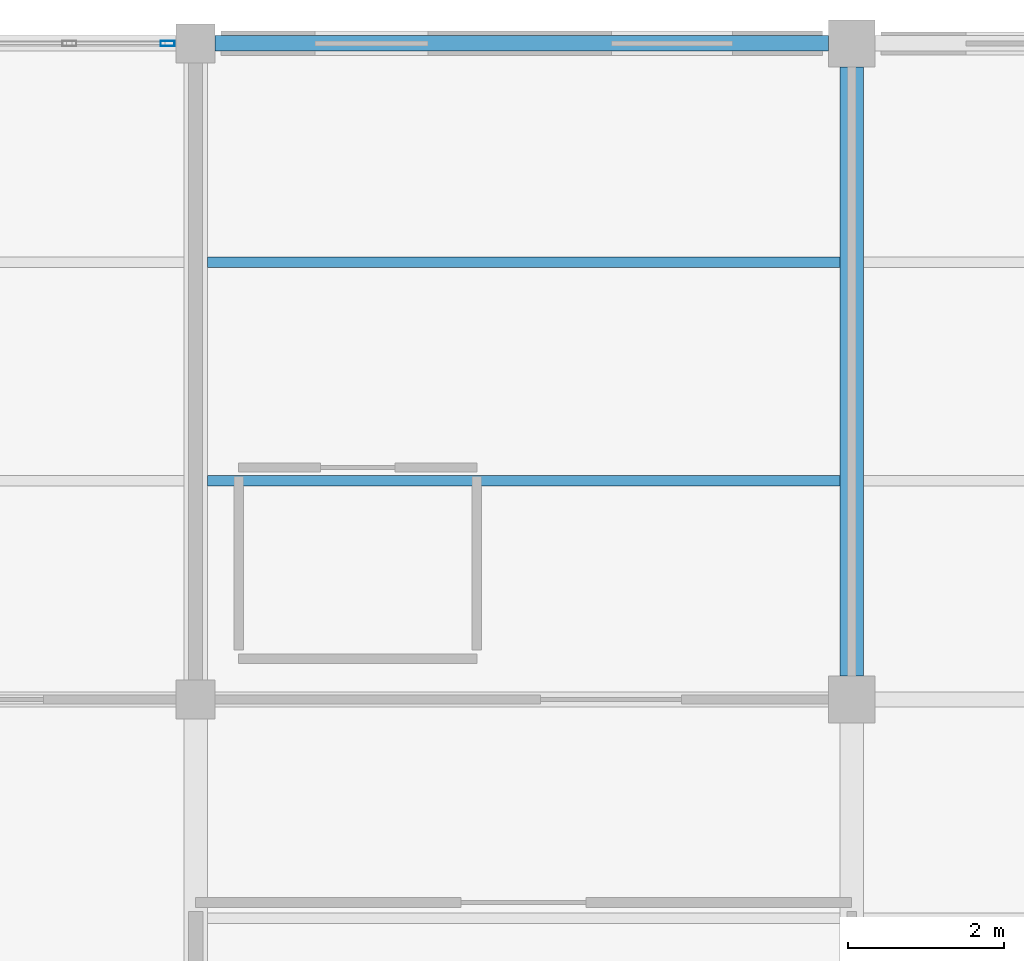
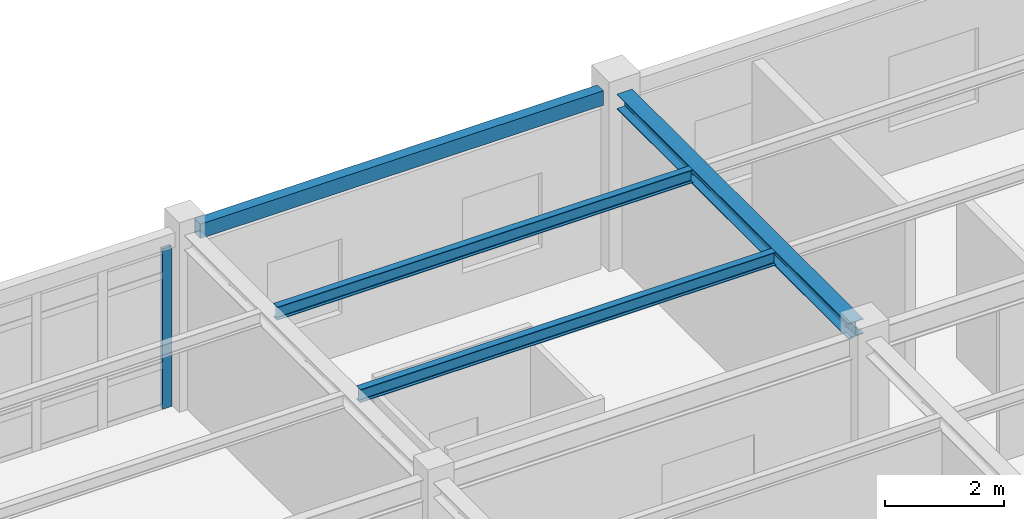
# One storey, part 24 of 70: 4 beams, 1 member, 1 element without a shape of its own.
"""IFC4 building model written with IfcOpenShell, lengths in metres."""

import ifcopenshell
import ifcopenshell.guid

model = None  # the IFC model being written
_history = None  # IfcOwnerHistory: only IFC2X3 demands one
_inside = {}  # id of a spatial element -> (the spatial element, [elements in it])
_under = {}  # id of a project, library or spatial element -> (it, [spatial elements below it])
_declared = {}  # id of a project -> (the project, [libraries it declares])
_typed = {}  # id of a type object -> (the type object, [elements of that type])
_made_of = {}  # id of a material, layer set ... -> (it, [elements and type objects made of it])


def new_model(schema):
    """Start an empty IFC model of exactly this schema.

    Asked for "IFC4X3", IfcOpenShell would pick the latest addendum, in which some entities
    have other attributes; the version numbers below select the first issue.
    IFC2X3 requires an IfcOwnerHistory on every rooted entity: one is made here for all.
    """
    global model, _history
    if schema == "IFC4X3":
        model = ifcopenshell.file(schema_version=(4, 3, 0, 0))
    else:
        model = ifcopenshell.file(schema=schema)
    _inside.clear()
    _under.clear()
    _declared.clear()
    _typed.clear()
    _made_of.clear()
    _history = None
    if model.schema == "IFC2X3":
        org = make("IfcOrganization", Name="unknown")
        user = make(
            "IfcPersonAndOrganization",
            ThePerson=make("IfcPerson", FamilyName="unknown"),
            TheOrganization=org,
        )
        app = make(
            "IfcApplication",
            ApplicationDeveloper=org,
            Version="unknown",
            ApplicationFullName="unknown",
            ApplicationIdentifier="unknown",
        )
        _history = make(
            "IfcOwnerHistory",
            OwningUser=user,
            OwningApplication=app,
            ChangeAction="ADDED",
            CreationDate=0,
        )
    return model


def make(cls, **values):
    """One entity of the class cls with the attributes given. An attribute that is None is left unset."""
    return model.create_entity(
        cls, **{name: value for name, value in values.items() if value is not None}
    )


def rooted(cls, **values):
    """An entity with a GlobalId (a new one), such as an element, a storey or a relation."""
    return make(cls, GlobalId=ifcopenshell.guid.new(), OwnerHistory=_history, **values)


def si_unit(unit_type, name, prefix=None):
    """IfcSIUnit, for example si_unit("LENGTHUNIT", "METRE", prefix="MILLI")."""
    return make("IfcSIUnit", UnitType=unit_type, Prefix=prefix, Name=name)


def assignment(units):
    """IfcUnitAssignment: the units of a project."""
    return None if units is None else make("IfcUnitAssignment", Units=units)


def point(xyz):
    """IfcCartesianPoint."""
    return None if xyz is None else make("IfcCartesianPoint", Coordinates=xyz)


def direction(xyz):
    """IfcDirection."""
    return None if xyz is None else make("IfcDirection", DirectionRatios=xyz)


def frame(location, z_axis=None, x_axis=None):
    """IfcAxis2Placement3D, a coordinate frame: its origin and axes. An axis left out is left unset."""
    return make(
        "IfcAxis2Placement3D",
        Location=point(location),
        Axis=direction(z_axis),
        RefDirection=direction(x_axis),
    )


def frame_2d(location, x_axis=None):
    """IfcAxis2Placement2D, a coordinate frame in the plane: its origin and x axis."""
    return make(
        "IfcAxis2Placement2D", Location=point(location), RefDirection=direction(x_axis)
    )


def origin():
    """The frame at (0, 0, 0) with its axes left unset."""
    return frame((0.0, 0.0, 0.0))


def origin_2d():
    """The frame at (0, 0) in the plane with its x axis left unset."""
    return frame_2d((0.0, 0.0))


def place(relative_to, where):
    """IfcLocalPlacement: puts the frame where relative to a parent placement (None: the world)."""
    return make(
        "IfcLocalPlacement", PlacementRelTo=relative_to, RelativePlacement=where
    )


def context(
    kind, dimensions, precision=None, world=None, true_north=None, identifier=None
):
    """IfcGeometricRepresentationContext, for example the 3D "Model" context."""
    return make(
        "IfcGeometricRepresentationContext",
        ContextIdentifier=identifier,
        ContextType=kind,
        CoordinateSpaceDimension=dimensions,
        Precision=precision,
        WorldCoordinateSystem=world,
        TrueNorth=true_north,
    )


def subcontext(parent, identifier, kind, view, scale=None):
    """IfcGeometricRepresentationSubContext, for example "Body" below "Model"."""
    return make(
        "IfcGeometricRepresentationSubContext",
        ContextIdentifier=identifier,
        ContextType=kind,
        ParentContext=parent,
        TargetScale=scale,
        TargetView=view,
    )


def project(units=None, contexts=None):
    """IfcProject with its units and contexts."""
    return rooted(
        "IfcProject",
        Name="project",
        RepresentationContexts=contexts,
        UnitsInContext=assignment(units),
    )


def spatial(cls, under=None, at=None, **own):
    """A site, building, storey or space (cls), placed at a placement, below another one or the project."""
    s = rooted(cls, ObjectPlacement=at, **own)
    if under is not None:
        _under.setdefault(under.id(), (under, []))[1].append(s)
    return s


def profile(cls, at=None, kind="AREA", **sizes):
    """A parametric profile (cls). Its sizes go by their IFC names, for example OverallWidth=200.0."""
    return make(cls, ProfileType=kind, Position=at, **sizes)


def hollow_rectangle(**sizes):
    """IfcRectangleHollowProfileDef."""
    return profile("IfcRectangleHollowProfileDef", **sizes)


def i_section(**sizes):
    """IfcIShapeProfileDef."""
    return profile("IfcIShapeProfileDef", **sizes)


def extrude(swept, where, along, depth):
    """IfcExtrudedAreaSolid: the profile swept, set in the frame where, extruded along a direction by depth."""
    return make(
        "IfcExtrudedAreaSolid",
        SweptArea=swept,
        Position=where,
        ExtrudedDirection=direction(along),
        Depth=depth,
    )


def shape(context_of_items, identifier, shape_type, items):
    """IfcShapeRepresentation: the items that make up one representation, for example the "Body"."""
    return make(
        "IfcShapeRepresentation",
        ContextOfItems=context_of_items,
        RepresentationIdentifier=identifier,
        RepresentationType=shape_type,
        Items=items,
    )


def material(Name=None, Category=None):
    """IfcMaterial."""
    return make("IfcMaterial", Name=Name, Category=Category)


def layer(
    of_material, thickness, ventilated=None, Name=None, Category=None, Priority=None
):
    """IfcMaterialLayer: one layer of a wall or slab, of a material (None: an air gap)."""
    return make(
        "IfcMaterialLayer",
        Material=of_material,
        LayerThickness=thickness,
        IsVentilated=ventilated,
        Name=Name,
        Category=Category,
        Priority=Priority,
    )


def layer_set(layers, Name=None):
    """IfcMaterialLayerSet."""
    return make("IfcMaterialLayerSet", MaterialLayers=layers, LayerSetName=Name)


def material_profile(
    of_material, cross_section, Name=None, Category=None, Priority=None
):
    """IfcMaterialProfile: a cross section and its material."""
    return make(
        "IfcMaterialProfile",
        Name=Name,
        Material=of_material,
        Profile=cross_section,
        Priority=Priority,
        Category=Category,
    )


def profile_set(profiles, Name=None, composite=None):
    """IfcMaterialProfileSet."""
    return make(
        "IfcMaterialProfileSet",
        Name=Name,
        MaterialProfiles=profiles,
        CompositeProfile=composite,
    )


def made_of(thing, what):
    """Note that an element or type object is made of a material, layer set ...; save() writes the relation."""
    if what is not None:
        _made_of.setdefault(what.id(), (what, []))[1].append(thing)
    return thing


def type_object(cls, material=None, **own):
    """A type object (cls), such as IfcWallType, which elements share."""
    return made_of(rooted(cls, **own), material)


def element(
    cls,
    number,
    at=None,
    inside=None,
    cuts=None,
    type_object=None,
    material=None,
    context=None,
    identifier="Body",
    shape_type=None,
    held_by="IfcProductDefinitionShape",
    body=None,
    shapes=None,
    **own,
):
    """One element of the class cls, such as IfcWall. Its Tag is "e" and its number.

    at: its placement. inside: the storey or other place that contains it. cuts: it is an
    opening in that element (IfcRelVoidsElement). A single representation is given by context,
    identifier, shape_type and body (its items); several are given by shapes. held_by: the class
    of the entity that holds the representations. save() writes the other relations.
    """
    e = rooted(cls, Tag="e%d" % number, ObjectPlacement=at, **own)
    if body is not None:
        shapes = [shape(context, identifier, shape_type, body)]
    if shapes is not None:
        e.Representation = make(held_by, Representations=shapes)
    if inside is not None:
        _inside.setdefault(inside.id(), (inside, []))[1].append(e)
    if cuts is not None:
        rooted(
            "IfcRelVoidsElement", RelatingBuildingElement=cuts, RelatedOpeningElement=e
        )
    if type_object is not None:
        _typed.setdefault(type_object.id(), (type_object, []))[1].append(e)
    return made_of(e, material)


def aggregate(whole, parts):
    """IfcRelAggregates: a whole, such as a stair, and the parts it consists of."""
    return rooted("IfcRelAggregates", RelatingObject=whole, RelatedObjects=parts)


def save(model, path):
    """Write the relations noted so far, then the file.

    IfcRelAggregates (storeys below a building ...), IfcRelContainedInSpatialStructure (elements
    in a storey), IfcRelDefinesByType, IfcRelAssociatesMaterial and IfcRelDeclares: one each for
    every whole, place, type object, material and project.
    """
    for whole, parts in _under.values():
        aggregate(whole, parts)
    for where, things in _inside.values():
        rooted(
            "IfcRelContainedInSpatialStructure",
            RelatedElements=things,
            RelatingStructure=where,
        )
    for kind, things in _typed.values():
        rooted("IfcRelDefinesByType", RelatedObjects=things, RelatingType=kind)
    for what, things in _made_of.values():
        rooted("IfcRelAssociatesMaterial", RelatedObjects=things, RelatingMaterial=what)
    for by, libraries in _declared.values():
        rooted("IfcRelDeclares", RelatingContext=by, RelatedDefinitions=libraries)
    model.write(path)


model = new_model("IFC4")

# Units and contexts
model_context = context("Model", 3, precision=1e-05, world=origin(), true_north=direction((0.0, 1.0)))
body_context = subcontext(model_context, "Body", "Model", "MODEL_VIEW")
ifc_project = project(units=[si_unit("LENGTHUNIT", "METRE"), si_unit("AREAUNIT", "SQUARE_METRE"), si_unit("VOLUMEUNIT", "CUBIC_METRE"), si_unit("PLANEANGLEUNIT", "RADIAN"), si_unit("MASSUNIT", "GRAM", prefix="KILO")], contexts=[model_context])

# Site, building, storey
site_placement = place(None, origin())
site = spatial("IfcSite", under=ifc_project, at=site_placement, CompositionType="ELEMENT")
building_placement = place(site_placement, origin())
building = spatial("IfcBuilding", under=site, at=building_placement, Name="Bramfleet General Hospital", CompositionType="ELEMENT")
storey_placement = place(building_placement, frame((0.0, 0.0, 22.5)))
storey = spatial("IfcBuildingStorey", under=building, at=storey_placement, Name="L05", CompositionType="ELEMENT", Elevation=22.5)

# Beams
ifc_material_1 = material(Name="Steel S355", Category="steel")
ifc_material_profile_1 = material_profile(ifc_material_1, i_section(OverallWidth=0.300048828125, OverallDepth=0.31005859375, WebThickness=0.009033203125, FlangeThickness=0.015380859375, FilletRadius=0.027099609375, at=origin_2d()), Name="HEA 320")
ifc_profile_set_1 = profile_set([ifc_material_profile_1], Name="Steel S355")
beam_type_1 = type_object("IfcBeamType", Name="BM-HEA320", PredefinedType="BEAM", material=ifc_profile_set_1)
beam_1_placement = place(storey_placement, frame((67.199951171875, 109.5, 3.455078125), z_axis=(0.0, 1.0, 0.0), x_axis=(-1.0, 0.0, 0.0)))
element("IfcBeam", 1, at=beam_1_placement, inside=storey, type_object=beam_type_1, Name="L05 Grid Beam Y 08-13", PredefinedType="BEAM", context=body_context, shape_type="SweptSolid", body=[
    extrude(i_section(OverallWidth=0.300048828125, OverallDepth=0.31005859375, WebThickness=0.009033203125, FlangeThickness=0.015380859375, FilletRadius=0.027099609375, at=origin_2d()), origin(), (0.0, 0.0, 1.0), 7.800048828125),
])
ifc_material_profile_2 = material_profile(ifc_material_1, i_section(OverallWidth=0.135009765625, OverallDepth=0.27001953125, WebThickness=0.006591796875, FlangeThickness=0.01025390625, FilletRadius=0.014892578125, at=origin_2d()), Name="IPE 270")
ifc_profile_set_2 = profile_set([ifc_material_profile_2], Name="Steel S355")
beam_type_2 = type_object("IfcBeamType", Name="BM-IPE270", PredefinedType="JOIST", material=ifc_profile_set_2)
for number, where, z_axis, x_axis, name in (
    (2, (58.949951171875, 112.0, 3.47509765625), (1.0, 0.0, 0.0), (0.0, 1.0, 0.0), "L05 Secondary Joist 07-13-1"),
    (3, (58.949951171875, 114.800048828125, 3.47509765625), (1.0, 0.0, 0.0), (0.0, 1.0, 0.0), "L05 Secondary Joist 07-13-2"),
):
    element("IfcBeam", number, at=place(storey_placement, frame(where, z_axis=z_axis, x_axis=x_axis)), inside=storey, type_object=beam_type_2, Name=name, PredefinedType="JOIST", context=body_context, shape_type="SweptSolid", body=[
        extrude(i_section(OverallWidth=0.135009765625, OverallDepth=0.27001953125, WebThickness=0.006591796875, FlangeThickness=0.01025390625, FilletRadius=0.014892578125, at=origin_2d()), origin(), (0.0, 0.0, 1.0), 8.10009765625),
    ])
ifc_material_profile_3 = material_profile(ifc_material_1, hollow_rectangle(XDim=0.199951171875, YDim=0.300048828125, WallThickness=0.012451171875, at=origin_2d()), Name="RHS 300x200x12.5")
ifc_profile_set_3 = profile_set([ifc_material_profile_3], Name="Steel S355")
beam_type_3 = type_object("IfcBeamType", Name="BM-RHS300", PredefinedType="SPANDREL", material=ifc_profile_set_3)
beam_2_placement = place(storey_placement, frame((59.050048828125, 117.60009765625, 3.4599609375), z_axis=(1.0, 0.0, 0.0), x_axis=(0.0, 1.0, 0.0)))
element("IfcBeam", 4, at=beam_2_placement, inside=storey, type_object=beam_type_3, Name="L05 Grid Beam X 07-14", PredefinedType="SPANDREL", context=body_context, shape_type="SweptSolid", body=[
    extrude(hollow_rectangle(XDim=0.199951171875, YDim=0.300048828125, WallThickness=0.012451171875, at=origin_2d()), origin(), (0.0, 0.0, 1.0), 7.849853515625),
])

# Curtain wall, member
ifc_material_2 = material(Name="Anodised aluminium and low-E triple glazing", Category="aluminium")
ifc_layer = layer(ifc_material_2, 0.179931640625, Name="CWT-CW-04")
ifc_layer_set = layer_set([ifc_layer], Name="Anodised aluminium and low-E triple glazing")
curtain_wall_type = type_object("IfcCurtainWallType", Name="CWT-CW-04", PredefinedType="USERDEFINED", material=ifc_layer_set)
curtain_wall_placement = place(storey_placement, origin())
curtain_wall = element("IfcCurtainWall", 5, at=curtain_wall_placement, inside=storey, type_object=curtain_wall_type, Name="L05 Curtain Wall 202", ObjectType="Unitised curtain wall", PredefinedType="USERDEFINED")
ifc_material_3 = material(Name="Anodised aluminium EN AW-6060", Category="aluminium")
ifc_material_profile_4 = material_profile(ifc_material_3, hollow_rectangle(XDim=0.070068359375, YDim=0.179931640625, WallThickness=0.00390625, at=origin_2d()), Name="ALU 180x70x4.0")
ifc_profile_set_4 = profile_set([ifc_material_profile_4], Name="Anodised aluminium EN AW-6060")
member_type = type_object("IfcMemberType", Name="CWM-ALU180", PredefinedType="MULLION", material=ifc_profile_set_4)
member_placement = place(storey_placement, frame((58.43994140625, 117.60009765625, 0.0), z_axis=(0.0, 0.0, 1.0), x_axis=(0.0, 1.0, 0.0)))
member = element("IfcMember", 6, at=member_placement, type_object=member_type, Name="CW-04 mullion 7", PredefinedType="MULLION", context=body_context, shape_type="SweptSolid", body=[
    extrude(hollow_rectangle(XDim=0.070068359375, YDim=0.179931640625, WallThickness=0.00390625, at=origin_2d()), origin(), (0.0, 0.0, 1.0), 3.300048828125),
])
aggregate(curtain_wall, [member])

save(model, "model.ifc")
